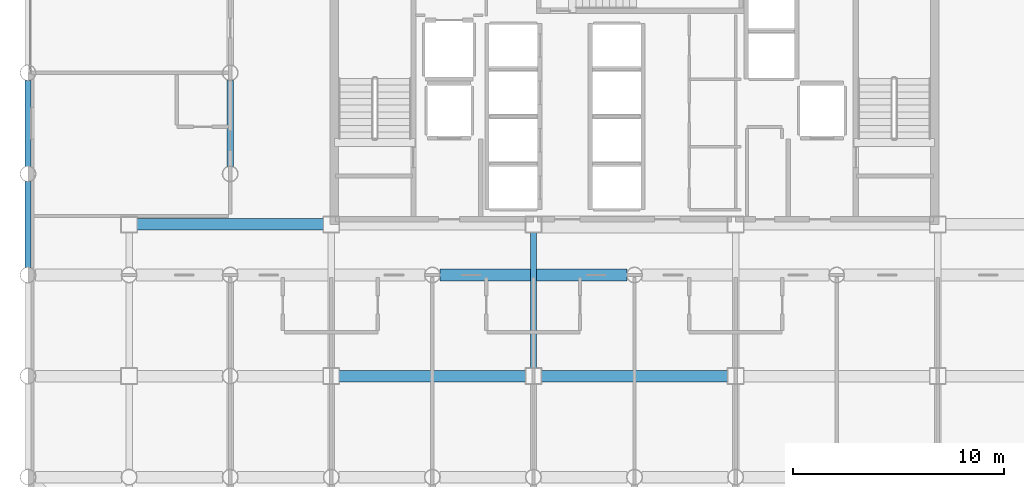
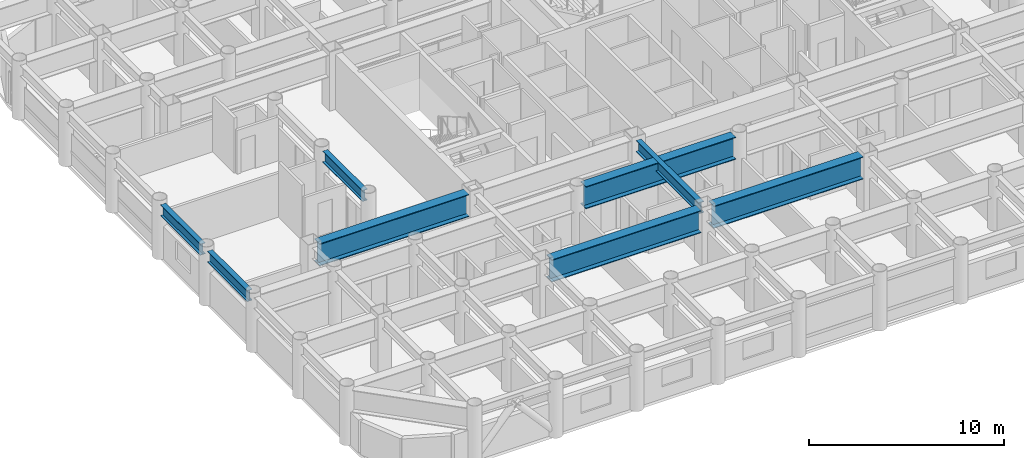
# One storey, part 3 of 21: 8 beams.
"""IFC4 building model written with IfcOpenShell, lengths in metres."""

from ifc_helpers import new_model, si_unit, direction, frame, origin, origin_2d, place, context, subcontext, project, spatial, i_section, extrude, material, material_profile, profile_set, type_object, element, save


model = new_model("IFC4")

# Units and contexts
model_context = context("Model", 3, precision=1e-05, world=origin(), true_north=direction((0.0, 1.0)))
body_context = subcontext(model_context, "Body", "Model", "MODEL_VIEW")
ifc_project = project(units=[si_unit("LENGTHUNIT", "METRE"), si_unit("AREAUNIT", "SQUARE_METRE"), si_unit("VOLUMEUNIT", "CUBIC_METRE"), si_unit("PLANEANGLEUNIT", "RADIAN"), si_unit("MASSUNIT", "GRAM", prefix="KILO")], contexts=[model_context])

# Site, building, storey
site_placement = place(None, origin())
site = spatial("IfcSite", under=ifc_project, at=site_placement, CompositionType="ELEMENT")
building_placement = place(site_placement, origin())
building = spatial("IfcBuilding", under=site, at=building_placement, Name="Kallvorn Hotel Tower", CompositionType="ELEMENT")
storey_placement = place(building_placement, frame((0.0, 0.0, 85.5)))
storey = spatial("IfcBuildingStorey", under=building, at=storey_placement, Name="L20", CompositionType="ELEMENT", Elevation=85.5)

# Beams
ifc_material_1 = material(Name="Structural steel S355JR", Category="steel")
ifc_material_profile_1 = material_profile(ifc_material_1, i_section(OverallWidth=0.300048828125, OverallDepth=0.699951171875, WebThickness=0.01708984375, FlangeThickness=0.031982421875, at=origin_2d()), Name="HE 700 B")
ifc_profile_set_1 = profile_set([ifc_material_profile_1], Name="Structural steel S355JR")
beam_type_1 = type_object("IfcBeamType", Name="BM_HE700B", PredefinedType="BEAM", material=ifc_profile_set_1)
beam_1_placement = place(storey_placement, frame((-28.800048828125, -9.243896484375, 3.10009765625), z_axis=(0.0, 1.0, 0.0), x_axis=(-1.0, 0.0, 0.0)))
element("IfcBeam", 1, at=beam_1_placement, inside=storey, type_object=beam_type_1, Name="L21 Primary Y-Girder 75", PredefinedType="BEAM", context=body_context, shape_type="SweptSolid", body=[
    extrude(i_section(OverallWidth=0.300048828125, OverallDepth=0.699951171875, WebThickness=0.01708984375, FlangeThickness=0.031982421875, at=origin_2d()), origin(), (0.0, 0.0, 1.0), 4.087890625),
])
for number, where, z_axis, x_axis, name in (
    (2, (-28.800048828125, -4.444091796875, 3.10009765625), (0.0, 1.0, 0.0), (-1.0, 0.0, 0.0), "L21 Primary Y-Girder 76"),
    (3, (-19.199951171875, -4.444091796875, 3.10009765625), (0.0, 1.0, 0.0), (-1.0, 0.0, 0.0), "L21 Primary Y-Girder 92"),
):
    element("IfcBeam", number, at=place(storey_placement, frame(where, z_axis=z_axis, x_axis=x_axis)), inside=storey, type_object=beam_type_1, Name=name, PredefinedType="BEAM", context=body_context, shape_type="SweptSolid", body=[
        extrude(i_section(OverallWidth=0.300048828125, OverallDepth=0.699951171875, WebThickness=0.01708984375, FlangeThickness=0.031982421875, at=origin_2d()), origin(), (0.0, 0.0, 1.0), 4.088134765625),
    ])
beam_2_placement = place(storey_placement, frame((-4.800048828125, -14.02490234375, 3.10009765625), z_axis=(0.0, 1.0, 0.0), x_axis=(-1.0, 0.0, 0.0)))
element("IfcBeam", 4, at=beam_2_placement, inside=storey, type_object=beam_type_1, Name="L21 Primary Y-Girder 107", PredefinedType="BEAM", context=body_context, shape_type="SweptSolid", body=[
    extrude(i_section(OverallWidth=0.300048828125, OverallDepth=0.699951171875, WebThickness=0.01708984375, FlangeThickness=0.031982421875, at=origin_2d()), origin(), (0.0, 0.0, 1.0), 6.449951171875),
])
ifc_material_2 = material(Name="Structural steel S355JR", Category="steel")
ifc_material_profile_2 = material_profile(ifc_material_2, i_section(OverallWidth=0.550048828125, OverallDepth=1.39990234375, WebThickness=0.02490234375, FlangeThickness=0.044921875, at=origin_2d()), Name="PG 1400x550x25x45")
ifc_profile_set_2 = profile_set([ifc_material_profile_2], Name="Structural steel S355JR")
beam_type_2 = type_object("IfcBeamType", Name="BM_PG_1400", PredefinedType="BEAM", material=ifc_profile_set_2)
beam_3_placement = place(storey_placement, frame((-14.02490234375, -14.39990234375, 2.75), z_axis=(1.0, 0.0, 0.0), x_axis=(0.0, 1.0, 0.0)))
element("IfcBeam", 5, at=beam_3_placement, inside=storey, type_object=beam_type_2, Name="L21 Primary X-Girder 17", PredefinedType="BEAM", context=body_context, shape_type="SweptSolid", body=[
    extrude(i_section(OverallWidth=0.550048828125, OverallDepth=1.39990234375, WebThickness=0.02490234375, FlangeThickness=0.044921875, at=origin_2d()), origin(), (0.0, 0.0, 1.0), 8.849853515625),
])
beam_4_placement = place(storey_placement, frame((-4.425048828125, -14.39990234375, 2.75), z_axis=(1.0, 0.0, 0.0), x_axis=(0.0, 1.0, 0.0)))
element("IfcBeam", 6, at=beam_4_placement, inside=storey, type_object=beam_type_2, Name="L21 Primary X-Girder 18", PredefinedType="BEAM", context=body_context, shape_type="SweptSolid", body=[
    extrude(i_section(OverallWidth=0.550048828125, OverallDepth=1.39990234375, WebThickness=0.02490234375, FlangeThickness=0.044921875, at=origin_2d()), origin(), (0.0, 0.0, 1.0), 8.85009765625),
])
beam_5_placement = place(storey_placement, frame((-9.243896484375, -9.60009765625, 2.75), z_axis=(1.0, 0.0, 0.0), x_axis=(0.0, 1.0, 0.0)))
element("IfcBeam", 7, at=beam_5_placement, inside=storey, type_object=beam_type_2, Name="L21 Primary X-Girder 27", PredefinedType="BEAM", context=body_context, shape_type="SweptSolid", body=[
    extrude(i_section(OverallWidth=0.550048828125, OverallDepth=1.39990234375, WebThickness=0.02490234375, FlangeThickness=0.044921875, at=origin_2d()), origin(), (0.0, 0.0, 1.0), 8.887939453125),
])
beam_6_placement = place(storey_placement, frame((-23.625, -7.199951171875, 2.75), z_axis=(1.0, 0.0, 0.0), x_axis=(0.0, 1.0, 0.0)))
element("IfcBeam", 8, at=beam_6_placement, inside=storey, type_object=beam_type_2, Name="L21 Primary X-Girder 33", PredefinedType="BEAM", context=body_context, shape_type="SweptSolid", body=[
    extrude(i_section(OverallWidth=0.550048828125, OverallDepth=1.39990234375, WebThickness=0.02490234375, FlangeThickness=0.044921875, at=origin_2d()), origin(), (0.0, 0.0, 1.0), 8.85009765625),
])

save(model, "model.ifc")
